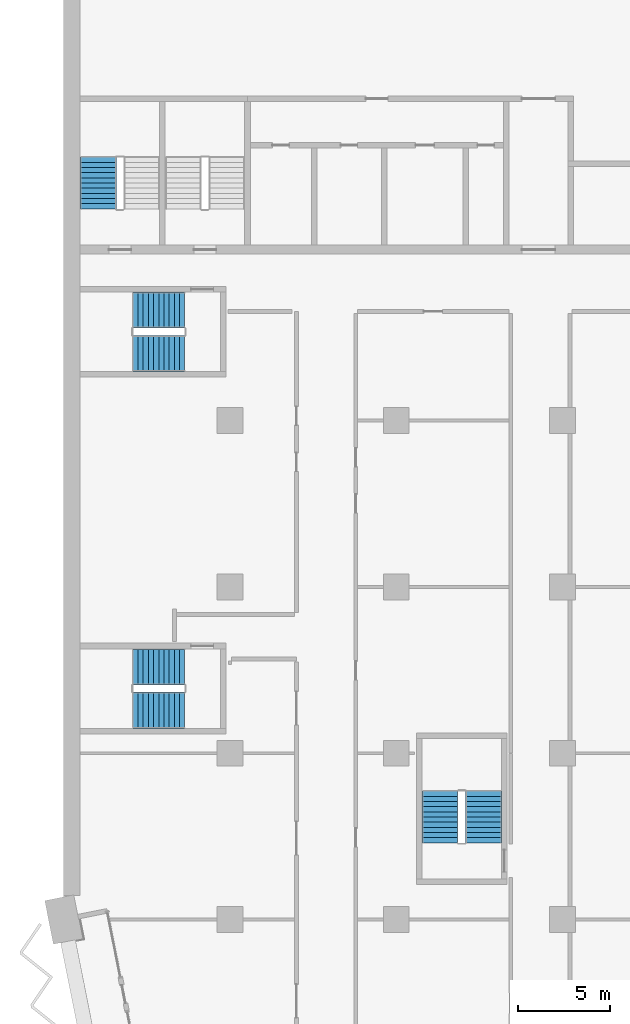
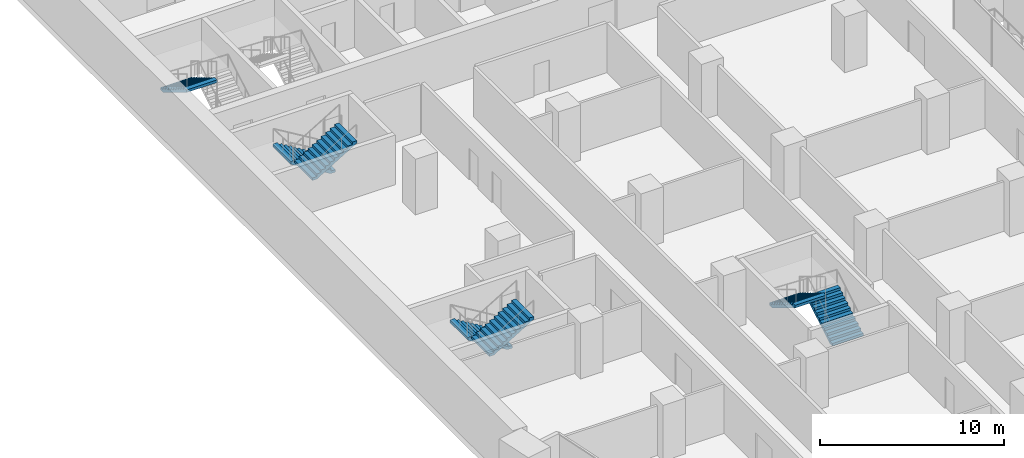
# One storey, part 19 of 28: 7 stair flights, 4 elements without a shape of their own.
"""IFC4 building model written with IfcOpenShell, lengths in metres."""

import ifcopenshell
import ifcopenshell.guid

model = None  # the IFC model being written
_history = None  # IfcOwnerHistory: only IFC2X3 demands one
_inside = {}  # id of a spatial element -> (the spatial element, [elements in it])
_under = {}  # id of a project, library or spatial element -> (it, [spatial elements below it])
_declared = {}  # id of a project -> (the project, [libraries it declares])
_typed = {}  # id of a type object -> (the type object, [elements of that type])
_made_of = {}  # id of a material, layer set ... -> (it, [elements and type objects made of it])


def new_model(schema):
    """Start an empty IFC model of exactly this schema.

    Asked for "IFC4X3", IfcOpenShell would pick the latest addendum, in which some entities
    have other attributes; the version numbers below select the first issue.
    IFC2X3 requires an IfcOwnerHistory on every rooted entity: one is made here for all.
    """
    global model, _history
    if schema == "IFC4X3":
        model = ifcopenshell.file(schema_version=(4, 3, 0, 0))
    else:
        model = ifcopenshell.file(schema=schema)
    _inside.clear()
    _under.clear()
    _declared.clear()
    _typed.clear()
    _made_of.clear()
    _history = None
    if model.schema == "IFC2X3":
        org = make("IfcOrganization", Name="unknown")
        user = make(
            "IfcPersonAndOrganization",
            ThePerson=make("IfcPerson", FamilyName="unknown"),
            TheOrganization=org,
        )
        app = make(
            "IfcApplication",
            ApplicationDeveloper=org,
            Version="unknown",
            ApplicationFullName="unknown",
            ApplicationIdentifier="unknown",
        )
        _history = make(
            "IfcOwnerHistory",
            OwningUser=user,
            OwningApplication=app,
            ChangeAction="ADDED",
            CreationDate=0,
        )
    return model


def make(cls, **values):
    """One entity of the class cls with the attributes given. An attribute that is None is left unset."""
    return model.create_entity(
        cls, **{name: value for name, value in values.items() if value is not None}
    )


def rooted(cls, **values):
    """An entity with a GlobalId (a new one), such as an element, a storey or a relation."""
    return make(cls, GlobalId=ifcopenshell.guid.new(), OwnerHistory=_history, **values)


def si_unit(unit_type, name, prefix=None):
    """IfcSIUnit, for example si_unit("LENGTHUNIT", "METRE", prefix="MILLI")."""
    return make("IfcSIUnit", UnitType=unit_type, Prefix=prefix, Name=name)


def assignment(units):
    """IfcUnitAssignment: the units of a project."""
    return None if units is None else make("IfcUnitAssignment", Units=units)


def point(xyz):
    """IfcCartesianPoint."""
    return None if xyz is None else make("IfcCartesianPoint", Coordinates=xyz)


def direction(xyz):
    """IfcDirection."""
    return None if xyz is None else make("IfcDirection", DirectionRatios=xyz)


def frame(location, z_axis=None, x_axis=None):
    """IfcAxis2Placement3D, a coordinate frame: its origin and axes. An axis left out is left unset."""
    return make(
        "IfcAxis2Placement3D",
        Location=point(location),
        Axis=direction(z_axis),
        RefDirection=direction(x_axis),
    )


def origin():
    """The frame at (0, 0, 0) with its axes left unset."""
    return frame((0.0, 0.0, 0.0))


def place(relative_to, where):
    """IfcLocalPlacement: puts the frame where relative to a parent placement (None: the world)."""
    return make(
        "IfcLocalPlacement", PlacementRelTo=relative_to, RelativePlacement=where
    )


def context(
    kind, dimensions, precision=None, world=None, true_north=None, identifier=None
):
    """IfcGeometricRepresentationContext, for example the 3D "Model" context."""
    return make(
        "IfcGeometricRepresentationContext",
        ContextIdentifier=identifier,
        ContextType=kind,
        CoordinateSpaceDimension=dimensions,
        Precision=precision,
        WorldCoordinateSystem=world,
        TrueNorth=true_north,
    )


def subcontext(parent, identifier, kind, view, scale=None):
    """IfcGeometricRepresentationSubContext, for example "Body" below "Model"."""
    return make(
        "IfcGeometricRepresentationSubContext",
        ContextIdentifier=identifier,
        ContextType=kind,
        ParentContext=parent,
        TargetScale=scale,
        TargetView=view,
    )


def project(units=None, contexts=None):
    """IfcProject with its units and contexts."""
    return rooted(
        "IfcProject",
        Name="project",
        RepresentationContexts=contexts,
        UnitsInContext=assignment(units),
    )


def spatial(cls, under=None, at=None, **own):
    """A site, building, storey or space (cls), placed at a placement, below another one or the project."""
    s = rooted(cls, ObjectPlacement=at, **own)
    if under is not None:
        _under.setdefault(under.id(), (under, []))[1].append(s)
    return s


def polyline(points):
    """IfcPolyline through the points."""
    return make("IfcPolyline", Points=[point(p) for p in points])


def outline(outer, holes=None, kind="AREA"):
    """IfcArbitraryClosedProfileDef: a profile drawn as a closed curve; with holes, ...WithVoids."""
    if holes is None:
        return make("IfcArbitraryClosedProfileDef", ProfileType=kind, OuterCurve=outer)
    return make(
        "IfcArbitraryProfileDefWithVoids",
        ProfileType=kind,
        OuterCurve=outer,
        InnerCurves=holes,
    )


def extrude(swept, where, along, depth):
    """IfcExtrudedAreaSolid: the profile swept, set in the frame where, extruded along a direction by depth."""
    return make(
        "IfcExtrudedAreaSolid",
        SweptArea=swept,
        Position=where,
        ExtrudedDirection=direction(along),
        Depth=depth,
    )


def shape(context_of_items, identifier, shape_type, items):
    """IfcShapeRepresentation: the items that make up one representation, for example the "Body"."""
    return make(
        "IfcShapeRepresentation",
        ContextOfItems=context_of_items,
        RepresentationIdentifier=identifier,
        RepresentationType=shape_type,
        Items=items,
    )


def material(Name=None, Category=None):
    """IfcMaterial."""
    return make("IfcMaterial", Name=Name, Category=Category)


def made_of(thing, what):
    """Note that an element or type object is made of a material, layer set ...; save() writes the relation."""
    if what is not None:
        _made_of.setdefault(what.id(), (what, []))[1].append(thing)
    return thing


def type_object(cls, material=None, **own):
    """A type object (cls), such as IfcWallType, which elements share."""
    return made_of(rooted(cls, **own), material)


def element(
    cls,
    number,
    at=None,
    inside=None,
    cuts=None,
    type_object=None,
    material=None,
    context=None,
    identifier="Body",
    shape_type=None,
    held_by="IfcProductDefinitionShape",
    body=None,
    shapes=None,
    **own,
):
    """One element of the class cls, such as IfcWall. Its Tag is "e" and its number.

    at: its placement. inside: the storey or other place that contains it. cuts: it is an
    opening in that element (IfcRelVoidsElement). A single representation is given by context,
    identifier, shape_type and body (its items); several are given by shapes. held_by: the class
    of the entity that holds the representations. save() writes the other relations.
    """
    e = rooted(cls, Tag="e%d" % number, ObjectPlacement=at, **own)
    if body is not None:
        shapes = [shape(context, identifier, shape_type, body)]
    if shapes is not None:
        e.Representation = make(held_by, Representations=shapes)
    if inside is not None:
        _inside.setdefault(inside.id(), (inside, []))[1].append(e)
    if cuts is not None:
        rooted(
            "IfcRelVoidsElement", RelatingBuildingElement=cuts, RelatedOpeningElement=e
        )
    if type_object is not None:
        _typed.setdefault(type_object.id(), (type_object, []))[1].append(e)
    return made_of(e, material)


def aggregate(whole, parts):
    """IfcRelAggregates: a whole, such as a stair, and the parts it consists of."""
    return rooted("IfcRelAggregates", RelatingObject=whole, RelatedObjects=parts)


def save(model, path):
    """Write the relations noted so far, then the file.

    IfcRelAggregates (storeys below a building ...), IfcRelContainedInSpatialStructure (elements
    in a storey), IfcRelDefinesByType, IfcRelAssociatesMaterial and IfcRelDeclares: one each for
    every whole, place, type object, material and project.
    """
    for whole, parts in _under.values():
        aggregate(whole, parts)
    for where, things in _inside.values():
        rooted(
            "IfcRelContainedInSpatialStructure",
            RelatedElements=things,
            RelatingStructure=where,
        )
    for kind, things in _typed.values():
        rooted("IfcRelDefinesByType", RelatedObjects=things, RelatingType=kind)
    for what, things in _made_of.values():
        rooted("IfcRelAssociatesMaterial", RelatedObjects=things, RelatingMaterial=what)
    for by, libraries in _declared.values():
        rooted("IfcRelDeclares", RelatingContext=by, RelatedDefinitions=libraries)
    model.write(path)


model = new_model("IFC4")

# Units and contexts
model_context = context("Model", 3, precision=1e-05, world=origin(), true_north=direction((0.0, 1.0)))
body_context = subcontext(model_context, "Body", "Model", "MODEL_VIEW")
ifc_project = project(units=[si_unit("LENGTHUNIT", "METRE"), si_unit("AREAUNIT", "SQUARE_METRE"), si_unit("VOLUMEUNIT", "CUBIC_METRE"), si_unit("PLANEANGLEUNIT", "RADIAN"), si_unit("MASSUNIT", "GRAM", prefix="KILO")], contexts=[model_context])

# Site, building, storey
site_placement = place(None, origin())
site = spatial("IfcSite", under=ifc_project, at=site_placement, CompositionType="ELEMENT")
building_placement = place(site_placement, origin())
building = spatial("IfcBuilding", under=site, at=building_placement, Name="Hunhe Ridgeline Campus", CompositionType="ELEMENT")
storey_placement = place(building_placement, frame((0.0, 0.0, 72.800048828125)))
storey = spatial("IfcBuildingStorey", under=building, at=storey_placement, Name="L17", CompositionType="ELEMENT", Elevation=72.800048828125)

# Stair, stair flight
ifc_material = material(Name="Concrete C40", Category="concrete")
stair_type = type_object("IfcStairType", Name="Reinforced concrete dog-leg stair 1950 Concrete C40", PredefinedType="HALF_TURN_STAIR", material=ifc_material)
stair_1_placement = place(storey_placement, origin())
stair_1 = element("IfcStair", 1, at=stair_1_placement, inside=storey, type_object=stair_type, Name="L17 S3", PredefinedType="HALF_TURN_STAIR")
stair_flight_type = type_object("IfcStairFlightType", Name="Reinforced concrete stair flight 1950 Concrete C40", PredefinedType="STRAIGHT", material=ifc_material)
stair_flight_1_placement = place(storey_placement, frame((1.875, 68.25, 1.849853515625), z_axis=(0.0, 0.0, 1.0), x_axis=(0.0, -1.0, 0.0)))
stair_flight_1 = element("IfcStairFlight", 2, at=stair_flight_1_placement, type_object=stair_flight_type, Name="ST3 flight 2", NumberOfRisers=11, NumberOfTreads=10, PredefinedType="STRAIGHT", RiserHeight=0.168181818, TreadLength=0.28, context=body_context, shape_type="SweptSolid", body=[
    extrude(outline(polyline([(0.0, 0.0), (0.0, 0.168212890625), (0.280029296875, 0.168212890625), (0.280029296875, 0.33642578125), (0.56005859375, 0.33642578125), (0.56005859375, 0.504638671875), (0.840087890625, 0.504638671875), (0.840087890625, 0.672607421875), (1.1201171875, 0.672607421875), (1.1201171875, 0.8408203125), (1.39990234375, 0.8408203125), (1.39990234375, 1.009033203125), (1.679931640625, 1.009033203125), (1.679931640625, 1.17724609375), (1.9599609375, 1.17724609375), (1.9599609375, 1.345458984375), (2.239990234375, 1.345458984375), (2.239990234375, 1.513671875), (2.52001953125, 1.513671875), (2.52001953125, 1.681884765625), (2.800048828125, 1.681884765625), (2.800048828125, 1.85009765625), (2.800048828125, 1.5068359375), (0.291015625, 0.0), (0.0, 0.0)])), frame((0.0, 0.97509765625, 0.0), z_axis=(0.0, -1.0, 0.0), x_axis=(1.0, 0.0, 0.0)), (0.0, 0.0, 1.0), 1.949951171875),
    extrude(outline(polyline([(0.030029296875, 0.030029296875), (0.030029296875, 0.13818359375), (0.31005859375, 0.13818359375), (0.31005859375, 0.306396484375), (0.590087890625, 0.306396484375), (0.590087890625, 0.474609375), (0.8701171875, 0.474609375), (0.8701171875, 0.642578125), (1.14990234375, 0.642578125), (1.14990234375, 0.810791015625), (1.429931640625, 0.810791015625), (1.429931640625, 0.97900390625), (1.7099609375, 0.97900390625), (1.7099609375, 1.147216796875), (1.989990234375, 1.147216796875), (1.989990234375, 1.3154296875), (2.27001953125, 1.3154296875), (2.27001953125, 1.483642578125), (2.550048828125, 1.483642578125), (2.550048828125, 1.65185546875), (2.77001953125, 1.65185546875), (2.77001953125, 1.52392578125), (0.28271484375, 0.030029296875), (0.030029296875, 0.030029296875)])), frame((0.0, -0.070068359375, 0.0), z_axis=(0.0, -1.0, 0.0), x_axis=(1.0, 0.0, 0.0)), (0.0, 0.0, 1.0), 0.019775390625),
    extrude(outline(polyline([(0.030029296875, 0.030029296875), (0.030029296875, 0.13818359375), (0.31005859375, 0.13818359375), (0.31005859375, 0.306396484375), (0.590087890625, 0.306396484375), (0.590087890625, 0.474609375), (0.8701171875, 0.474609375), (0.8701171875, 0.642578125), (1.14990234375, 0.642578125), (1.14990234375, 0.810791015625), (1.429931640625, 0.810791015625), (1.429931640625, 0.97900390625), (1.7099609375, 0.97900390625), (1.7099609375, 1.147216796875), (1.989990234375, 1.147216796875), (1.989990234375, 1.3154296875), (2.27001953125, 1.3154296875), (2.27001953125, 1.483642578125), (2.550048828125, 1.483642578125), (2.550048828125, 1.65185546875), (2.77001953125, 1.65185546875), (2.77001953125, 1.52392578125), (0.28271484375, 0.030029296875), (0.030029296875, 0.030029296875)])), frame((0.0, 0.010009765625, 0.0), z_axis=(0.0, -1.0, 0.0), x_axis=(1.0, 0.0, 0.0)), (0.0, 0.0, 1.0), 0.019775390625),
    extrude(outline(polyline([(0.030029296875, 0.030029296875), (0.030029296875, 0.13818359375), (0.31005859375, 0.13818359375), (0.31005859375, 0.306396484375), (0.590087890625, 0.306396484375), (0.590087890625, 0.474609375), (0.8701171875, 0.474609375), (0.8701171875, 0.642578125), (1.14990234375, 0.642578125), (1.14990234375, 0.810791015625), (1.429931640625, 0.810791015625), (1.429931640625, 0.97900390625), (1.7099609375, 0.97900390625), (1.7099609375, 1.147216796875), (1.989990234375, 1.147216796875), (1.989990234375, 1.3154296875), (2.27001953125, 1.3154296875), (2.27001953125, 1.483642578125), (2.550048828125, 1.483642578125), (2.550048828125, 1.65185546875), (2.77001953125, 1.65185546875), (2.77001953125, 1.52392578125), (0.28271484375, 0.030029296875), (0.030029296875, 0.030029296875)])), frame((0.0, 0.090087890625, 0.0), z_axis=(0.0, -1.0, 0.0), x_axis=(1.0, 0.0, 0.0)), (0.0, 0.0, 1.0), 0.019775390625),
])
aggregate(stair_1, [stair_flight_1])

# Stair, stair flights
stair_2_placement = place(storey_placement, origin())
stair_2 = element("IfcStair", 3, at=stair_2_placement, inside=storey, type_object=stair_type, Name="L17 W3", PredefinedType="HALF_TURN_STAIR")
stair_flight_2_placement = place(storey_placement, frame((22.72509765625, 31.14990234375, 0.0), z_axis=(0.0, 0.0, 1.0), x_axis=(0.0, 1.0, 0.0)))
stair_flight_2 = element("IfcStairFlight", 4, at=stair_flight_2_placement, type_object=stair_flight_type, Name="ST9 flight 1", NumberOfRisers=11, NumberOfTreads=10, PredefinedType="STRAIGHT", RiserHeight=0.168181818, TreadLength=0.28, context=body_context, shape_type="SweptSolid", body=[
    extrude(outline(polyline([(0.0, 0.0), (0.0, 0.168212890625), (0.280029296875, 0.168212890625), (0.280029296875, 0.33642578125), (0.56005859375, 0.33642578125), (0.56005859375, 0.504638671875), (0.840087890625, 0.504638671875), (0.840087890625, 0.672607421875), (1.1201171875, 0.672607421875), (1.1201171875, 0.8408203125), (1.39990234375, 0.8408203125), (1.39990234375, 1.009033203125), (1.679931640625, 1.009033203125), (1.679931640625, 1.17724609375), (1.9599609375, 1.17724609375), (1.9599609375, 1.345458984375), (2.239990234375, 1.345458984375), (2.239990234375, 1.513671875), (2.52001953125, 1.513671875), (2.52001953125, 1.681884765625), (2.800048828125, 1.681884765625), (2.800048828125, 1.85009765625), (2.800048828125, 1.5068359375), (0.291015625, 0.0), (0.0, 0.0)])), frame((0.0, 0.97509765625, 0.0), z_axis=(0.0, -1.0, 0.0), x_axis=(1.0, 0.0, 0.0)), (0.0, 0.0, 1.0), 1.949951171875),
    extrude(outline(polyline([(0.030029296875, 0.030029296875), (0.030029296875, 0.13818359375), (0.31005859375, 0.13818359375), (0.31005859375, 0.306396484375), (0.590087890625, 0.306396484375), (0.590087890625, 0.474609375), (0.8701171875, 0.474609375), (0.8701171875, 0.642578125), (1.14990234375, 0.642578125), (1.14990234375, 0.810791015625), (1.429931640625, 0.810791015625), (1.429931640625, 0.97900390625), (1.7099609375, 0.97900390625), (1.7099609375, 1.147216796875), (1.989990234375, 1.147216796875), (1.989990234375, 1.3154296875), (2.27001953125, 1.3154296875), (2.27001953125, 1.483642578125), (2.550048828125, 1.483642578125), (2.550048828125, 1.65185546875), (2.77001953125, 1.65185546875), (2.77001953125, 1.52392578125), (0.28271484375, 0.030029296875), (0.030029296875, 0.030029296875)])), frame((0.0, -0.070068359375, 0.0), z_axis=(0.0, -1.0, 0.0), x_axis=(1.0, 0.0, 0.0)), (0.0, 0.0, 1.0), 0.019775390625),
    extrude(outline(polyline([(0.030029296875, 0.030029296875), (0.030029296875, 0.13818359375), (0.31005859375, 0.13818359375), (0.31005859375, 0.306396484375), (0.590087890625, 0.306396484375), (0.590087890625, 0.474609375), (0.8701171875, 0.474609375), (0.8701171875, 0.642578125), (1.14990234375, 0.642578125), (1.14990234375, 0.810791015625), (1.429931640625, 0.810791015625), (1.429931640625, 0.97900390625), (1.7099609375, 0.97900390625), (1.7099609375, 1.147216796875), (1.989990234375, 1.147216796875), (1.989990234375, 1.3154296875), (2.27001953125, 1.3154296875), (2.27001953125, 1.483642578125), (2.550048828125, 1.483642578125), (2.550048828125, 1.65185546875), (2.77001953125, 1.65185546875), (2.77001953125, 1.52392578125), (0.28271484375, 0.030029296875), (0.030029296875, 0.030029296875)])), frame((0.0, 0.010009765625, 0.0), z_axis=(0.0, -1.0, 0.0), x_axis=(1.0, 0.0, 0.0)), (0.0, 0.0, 1.0), 0.019775390625),
    extrude(outline(polyline([(0.030029296875, 0.030029296875), (0.030029296875, 0.13818359375), (0.31005859375, 0.13818359375), (0.31005859375, 0.306396484375), (0.590087890625, 0.306396484375), (0.590087890625, 0.474609375), (0.8701171875, 0.474609375), (0.8701171875, 0.642578125), (1.14990234375, 0.642578125), (1.14990234375, 0.810791015625), (1.429931640625, 0.810791015625), (1.429931640625, 0.97900390625), (1.7099609375, 0.97900390625), (1.7099609375, 1.147216796875), (1.989990234375, 1.147216796875), (1.989990234375, 1.3154296875), (2.27001953125, 1.3154296875), (2.27001953125, 1.483642578125), (2.550048828125, 1.483642578125), (2.550048828125, 1.65185546875), (2.77001953125, 1.65185546875), (2.77001953125, 1.52392578125), (0.28271484375, 0.030029296875), (0.030029296875, 0.030029296875)])), frame((0.0, 0.090087890625, 0.0), z_axis=(0.0, -1.0, 0.0), x_axis=(1.0, 0.0, 0.0)), (0.0, 0.0, 1.0), 0.019775390625),
])
stair_flight_3_placement = place(storey_placement, frame((20.375, 33.949951171875, 1.849853515625), z_axis=(0.0, 0.0, 1.0), x_axis=(0.0, -1.0, 0.0)))
stair_flight_3 = element("IfcStairFlight", 5, at=stair_flight_3_placement, type_object=stair_flight_type, Name="ST9 flight 2", NumberOfRisers=11, NumberOfTreads=10, PredefinedType="STRAIGHT", RiserHeight=0.168181818, TreadLength=0.28, context=body_context, shape_type="SweptSolid", body=[
    extrude(outline(polyline([(0.0, 0.0), (0.0, 0.168212890625), (0.280029296875, 0.168212890625), (0.280029296875, 0.33642578125), (0.56005859375, 0.33642578125), (0.56005859375, 0.504638671875), (0.840087890625, 0.504638671875), (0.840087890625, 0.672607421875), (1.1201171875, 0.672607421875), (1.1201171875, 0.8408203125), (1.39990234375, 0.8408203125), (1.39990234375, 1.009033203125), (1.679931640625, 1.009033203125), (1.679931640625, 1.17724609375), (1.9599609375, 1.17724609375), (1.9599609375, 1.345458984375), (2.239990234375, 1.345458984375), (2.239990234375, 1.513671875), (2.52001953125, 1.513671875), (2.52001953125, 1.681884765625), (2.800048828125, 1.681884765625), (2.800048828125, 1.85009765625), (2.800048828125, 1.5068359375), (0.291015625, 0.0), (0.0, 0.0)])), frame((0.0, 0.97509765625, 0.0), z_axis=(0.0, -1.0, 0.0), x_axis=(1.0, 0.0, 0.0)), (0.0, 0.0, 1.0), 1.949951171875),
    extrude(outline(polyline([(0.030029296875, 0.030029296875), (0.030029296875, 0.13818359375), (0.31005859375, 0.13818359375), (0.31005859375, 0.306396484375), (0.590087890625, 0.306396484375), (0.590087890625, 0.474609375), (0.8701171875, 0.474609375), (0.8701171875, 0.642578125), (1.14990234375, 0.642578125), (1.14990234375, 0.810791015625), (1.429931640625, 0.810791015625), (1.429931640625, 0.97900390625), (1.7099609375, 0.97900390625), (1.7099609375, 1.147216796875), (1.989990234375, 1.147216796875), (1.989990234375, 1.3154296875), (2.27001953125, 1.3154296875), (2.27001953125, 1.483642578125), (2.550048828125, 1.483642578125), (2.550048828125, 1.65185546875), (2.77001953125, 1.65185546875), (2.77001953125, 1.52392578125), (0.28271484375, 0.030029296875), (0.030029296875, 0.030029296875)])), frame((0.0, -0.070068359375, 0.0), z_axis=(0.0, -1.0, 0.0), x_axis=(1.0, 0.0, 0.0)), (0.0, 0.0, 1.0), 0.019775390625),
    extrude(outline(polyline([(0.030029296875, 0.030029296875), (0.030029296875, 0.13818359375), (0.31005859375, 0.13818359375), (0.31005859375, 0.306396484375), (0.590087890625, 0.306396484375), (0.590087890625, 0.474609375), (0.8701171875, 0.474609375), (0.8701171875, 0.642578125), (1.14990234375, 0.642578125), (1.14990234375, 0.810791015625), (1.429931640625, 0.810791015625), (1.429931640625, 0.97900390625), (1.7099609375, 0.97900390625), (1.7099609375, 1.147216796875), (1.989990234375, 1.147216796875), (1.989990234375, 1.3154296875), (2.27001953125, 1.3154296875), (2.27001953125, 1.483642578125), (2.550048828125, 1.483642578125), (2.550048828125, 1.65185546875), (2.77001953125, 1.65185546875), (2.77001953125, 1.52392578125), (0.28271484375, 0.030029296875), (0.030029296875, 0.030029296875)])), frame((0.0, 0.010009765625, 0.0), z_axis=(0.0, -1.0, 0.0), x_axis=(1.0, 0.0, 0.0)), (0.0, 0.0, 1.0), 0.019775390625),
    extrude(outline(polyline([(0.030029296875, 0.030029296875), (0.030029296875, 0.13818359375), (0.31005859375, 0.13818359375), (0.31005859375, 0.306396484375), (0.590087890625, 0.306396484375), (0.590087890625, 0.474609375), (0.8701171875, 0.474609375), (0.8701171875, 0.642578125), (1.14990234375, 0.642578125), (1.14990234375, 0.810791015625), (1.429931640625, 0.810791015625), (1.429931640625, 0.97900390625), (1.7099609375, 0.97900390625), (1.7099609375, 1.147216796875), (1.989990234375, 1.147216796875), (1.989990234375, 1.3154296875), (2.27001953125, 1.3154296875), (2.27001953125, 1.483642578125), (2.550048828125, 1.483642578125), (2.550048828125, 1.65185546875), (2.77001953125, 1.65185546875), (2.77001953125, 1.52392578125), (0.28271484375, 0.030029296875), (0.030029296875, 0.030029296875)])), frame((0.0, 0.090087890625, 0.0), z_axis=(0.0, -1.0, 0.0), x_axis=(1.0, 0.0, 0.0)), (0.0, 0.0, 1.0), 0.019775390625),
])
aggregate(stair_2, [stair_flight_2, stair_flight_3])

stair_3_placement = place(storey_placement, origin())
stair_3 = element("IfcStair", 6, at=stair_3_placement, inside=storey, type_object=stair_type, Name="L17 W1", PredefinedType="HALF_TURN_STAIR")
stair_flight_4_placement = place(storey_placement, frame((6.550048828125, 40.675048828125, 0.0), z_axis=(0.0, 0.0, 1.0), x_axis=(-1.0, 0.0, 0.0)))
stair_flight_4 = element("IfcStairFlight", 7, at=stair_flight_4_placement, type_object=stair_flight_type, Name="ST11 flight 1", NumberOfRisers=11, NumberOfTreads=10, PredefinedType="STRAIGHT", RiserHeight=0.168181818, TreadLength=0.28, context=body_context, shape_type="SweptSolid", body=[
    extrude(outline(polyline([(0.0, 0.0), (0.0, 0.168212890625), (0.280029296875, 0.168212890625), (0.280029296875, 0.33642578125), (0.56005859375, 0.33642578125), (0.56005859375, 0.504638671875), (0.840087890625, 0.504638671875), (0.840087890625, 0.672607421875), (1.1201171875, 0.672607421875), (1.1201171875, 0.8408203125), (1.39990234375, 0.8408203125), (1.39990234375, 1.009033203125), (1.679931640625, 1.009033203125), (1.679931640625, 1.17724609375), (1.9599609375, 1.17724609375), (1.9599609375, 1.345458984375), (2.239990234375, 1.345458984375), (2.239990234375, 1.513671875), (2.52001953125, 1.513671875), (2.52001953125, 1.681884765625), (2.800048828125, 1.681884765625), (2.800048828125, 1.85009765625), (2.800048828125, 1.5068359375), (0.291015625, 0.0), (0.0, 0.0)])), frame((0.0, 0.97509765625, 0.0), z_axis=(0.0, -1.0, 0.0), x_axis=(1.0, 0.0, 0.0)), (0.0, 0.0, 1.0), 1.949951171875),
    extrude(outline(polyline([(0.030029296875, 0.030029296875), (0.030029296875, 0.13818359375), (0.31005859375, 0.13818359375), (0.31005859375, 0.306396484375), (0.590087890625, 0.306396484375), (0.590087890625, 0.474609375), (0.8701171875, 0.474609375), (0.8701171875, 0.642578125), (1.14990234375, 0.642578125), (1.14990234375, 0.810791015625), (1.429931640625, 0.810791015625), (1.429931640625, 0.97900390625), (1.7099609375, 0.97900390625), (1.7099609375, 1.147216796875), (1.989990234375, 1.147216796875), (1.989990234375, 1.3154296875), (2.27001953125, 1.3154296875), (2.27001953125, 1.483642578125), (2.550048828125, 1.483642578125), (2.550048828125, 1.65185546875), (2.77001953125, 1.65185546875), (2.77001953125, 1.52392578125), (0.28271484375, 0.030029296875), (0.030029296875, 0.030029296875)])), frame((0.0, -0.070068359375, 0.0), z_axis=(0.0, -1.0, 0.0), x_axis=(1.0, 0.0, 0.0)), (0.0, 0.0, 1.0), 0.019775390625),
    extrude(outline(polyline([(0.030029296875, 0.030029296875), (0.030029296875, 0.13818359375), (0.31005859375, 0.13818359375), (0.31005859375, 0.306396484375), (0.590087890625, 0.306396484375), (0.590087890625, 0.474609375), (0.8701171875, 0.474609375), (0.8701171875, 0.642578125), (1.14990234375, 0.642578125), (1.14990234375, 0.810791015625), (1.429931640625, 0.810791015625), (1.429931640625, 0.97900390625), (1.7099609375, 0.97900390625), (1.7099609375, 1.147216796875), (1.989990234375, 1.147216796875), (1.989990234375, 1.3154296875), (2.27001953125, 1.3154296875), (2.27001953125, 1.483642578125), (2.550048828125, 1.483642578125), (2.550048828125, 1.65185546875), (2.77001953125, 1.65185546875), (2.77001953125, 1.52392578125), (0.28271484375, 0.030029296875), (0.030029296875, 0.030029296875)])), frame((0.0, 0.010009765625, 0.0), z_axis=(0.0, -1.0, 0.0), x_axis=(1.0, 0.0, 0.0)), (0.0, 0.0, 1.0), 0.019775390625),
    extrude(outline(polyline([(0.030029296875, 0.030029296875), (0.030029296875, 0.13818359375), (0.31005859375, 0.13818359375), (0.31005859375, 0.306396484375), (0.590087890625, 0.306396484375), (0.590087890625, 0.474609375), (0.8701171875, 0.474609375), (0.8701171875, 0.642578125), (1.14990234375, 0.642578125), (1.14990234375, 0.810791015625), (1.429931640625, 0.810791015625), (1.429931640625, 0.97900390625), (1.7099609375, 0.97900390625), (1.7099609375, 1.147216796875), (1.989990234375, 1.147216796875), (1.989990234375, 1.3154296875), (2.27001953125, 1.3154296875), (2.27001953125, 1.483642578125), (2.550048828125, 1.483642578125), (2.550048828125, 1.65185546875), (2.77001953125, 1.65185546875), (2.77001953125, 1.52392578125), (0.28271484375, 0.030029296875), (0.030029296875, 0.030029296875)])), frame((0.0, 0.090087890625, 0.0), z_axis=(0.0, -1.0, 0.0), x_axis=(1.0, 0.0, 0.0)), (0.0, 0.0, 1.0), 0.019775390625),
])
stair_flight_5_placement = place(storey_placement, frame((3.75, 38.324951171875, 1.849853515625), z_axis=(0.0, 0.0, 1.0), x_axis=(1.0, 0.0, 0.0)))
stair_flight_5 = element("IfcStairFlight", 8, at=stair_flight_5_placement, type_object=stair_flight_type, Name="ST11 flight 2", NumberOfRisers=11, NumberOfTreads=10, PredefinedType="STRAIGHT", RiserHeight=0.168181818, TreadLength=0.28, context=body_context, shape_type="SweptSolid", body=[
    extrude(outline(polyline([(0.0, 0.0), (0.0, 0.168212890625), (0.280029296875, 0.168212890625), (0.280029296875, 0.33642578125), (0.56005859375, 0.33642578125), (0.56005859375, 0.504638671875), (0.840087890625, 0.504638671875), (0.840087890625, 0.672607421875), (1.1201171875, 0.672607421875), (1.1201171875, 0.8408203125), (1.39990234375, 0.8408203125), (1.39990234375, 1.009033203125), (1.679931640625, 1.009033203125), (1.679931640625, 1.17724609375), (1.9599609375, 1.17724609375), (1.9599609375, 1.345458984375), (2.239990234375, 1.345458984375), (2.239990234375, 1.513671875), (2.52001953125, 1.513671875), (2.52001953125, 1.681884765625), (2.800048828125, 1.681884765625), (2.800048828125, 1.85009765625), (2.800048828125, 1.5068359375), (0.291015625, 0.0), (0.0, 0.0)])), frame((0.0, 0.97509765625, 0.0), z_axis=(0.0, -1.0, 0.0), x_axis=(1.0, 0.0, 0.0)), (0.0, 0.0, 1.0), 1.949951171875),
    extrude(outline(polyline([(0.030029296875, 0.030029296875), (0.030029296875, 0.13818359375), (0.31005859375, 0.13818359375), (0.31005859375, 0.306396484375), (0.590087890625, 0.306396484375), (0.590087890625, 0.474609375), (0.8701171875, 0.474609375), (0.8701171875, 0.642578125), (1.14990234375, 0.642578125), (1.14990234375, 0.810791015625), (1.429931640625, 0.810791015625), (1.429931640625, 0.97900390625), (1.7099609375, 0.97900390625), (1.7099609375, 1.147216796875), (1.989990234375, 1.147216796875), (1.989990234375, 1.3154296875), (2.27001953125, 1.3154296875), (2.27001953125, 1.483642578125), (2.550048828125, 1.483642578125), (2.550048828125, 1.65185546875), (2.77001953125, 1.65185546875), (2.77001953125, 1.52392578125), (0.28271484375, 0.030029296875), (0.030029296875, 0.030029296875)])), frame((0.0, -0.070068359375, 0.0), z_axis=(0.0, -1.0, 0.0), x_axis=(1.0, 0.0, 0.0)), (0.0, 0.0, 1.0), 0.019775390625),
    extrude(outline(polyline([(0.030029296875, 0.030029296875), (0.030029296875, 0.13818359375), (0.31005859375, 0.13818359375), (0.31005859375, 0.306396484375), (0.590087890625, 0.306396484375), (0.590087890625, 0.474609375), (0.8701171875, 0.474609375), (0.8701171875, 0.642578125), (1.14990234375, 0.642578125), (1.14990234375, 0.810791015625), (1.429931640625, 0.810791015625), (1.429931640625, 0.97900390625), (1.7099609375, 0.97900390625), (1.7099609375, 1.147216796875), (1.989990234375, 1.147216796875), (1.989990234375, 1.3154296875), (2.27001953125, 1.3154296875), (2.27001953125, 1.483642578125), (2.550048828125, 1.483642578125), (2.550048828125, 1.65185546875), (2.77001953125, 1.65185546875), (2.77001953125, 1.52392578125), (0.28271484375, 0.030029296875), (0.030029296875, 0.030029296875)])), frame((0.0, 0.010009765625, 0.0), z_axis=(0.0, -1.0, 0.0), x_axis=(1.0, 0.0, 0.0)), (0.0, 0.0, 1.0), 0.019775390625),
    extrude(outline(polyline([(0.030029296875, 0.030029296875), (0.030029296875, 0.13818359375), (0.31005859375, 0.13818359375), (0.31005859375, 0.306396484375), (0.590087890625, 0.306396484375), (0.590087890625, 0.474609375), (0.8701171875, 0.474609375), (0.8701171875, 0.642578125), (1.14990234375, 0.642578125), (1.14990234375, 0.810791015625), (1.429931640625, 0.810791015625), (1.429931640625, 0.97900390625), (1.7099609375, 0.97900390625), (1.7099609375, 1.147216796875), (1.989990234375, 1.147216796875), (1.989990234375, 1.3154296875), (2.27001953125, 1.3154296875), (2.27001953125, 1.483642578125), (2.550048828125, 1.483642578125), (2.550048828125, 1.65185546875), (2.77001953125, 1.65185546875), (2.77001953125, 1.52392578125), (0.28271484375, 0.030029296875), (0.030029296875, 0.030029296875)])), frame((0.0, 0.090087890625, 0.0), z_axis=(0.0, -1.0, 0.0), x_axis=(1.0, 0.0, 0.0)), (0.0, 0.0, 1.0), 0.019775390625),
])
aggregate(stair_3, [stair_flight_4, stair_flight_5])

stair_4_placement = place(storey_placement, origin())
stair_4 = element("IfcStair", 9, at=stair_4_placement, inside=storey, type_object=stair_type, Name="L17 W2", PredefinedType="HALF_TURN_STAIR")
stair_flight_6_placement = place(storey_placement, frame((6.550048828125, 59.97509765625, 0.0), z_axis=(0.0, 0.0, 1.0), x_axis=(-1.0, 0.0, 0.0)))
stair_flight_6 = element("IfcStairFlight", 10, at=stair_flight_6_placement, type_object=stair_flight_type, Name="ST12 flight 1", NumberOfRisers=11, NumberOfTreads=10, PredefinedType="STRAIGHT", RiserHeight=0.168181818, TreadLength=0.28, context=body_context, shape_type="SweptSolid", body=[
    extrude(outline(polyline([(0.0, 0.0), (0.0, 0.168212890625), (0.280029296875, 0.168212890625), (0.280029296875, 0.33642578125), (0.56005859375, 0.33642578125), (0.56005859375, 0.504638671875), (0.840087890625, 0.504638671875), (0.840087890625, 0.672607421875), (1.1201171875, 0.672607421875), (1.1201171875, 0.8408203125), (1.39990234375, 0.8408203125), (1.39990234375, 1.009033203125), (1.679931640625, 1.009033203125), (1.679931640625, 1.17724609375), (1.9599609375, 1.17724609375), (1.9599609375, 1.345458984375), (2.239990234375, 1.345458984375), (2.239990234375, 1.513671875), (2.52001953125, 1.513671875), (2.52001953125, 1.681884765625), (2.800048828125, 1.681884765625), (2.800048828125, 1.85009765625), (2.800048828125, 1.5068359375), (0.291015625, 0.0), (0.0, 0.0)])), frame((0.0, 0.97509765625, 0.0), z_axis=(0.0, -1.0, 0.0), x_axis=(1.0, 0.0, 0.0)), (0.0, 0.0, 1.0), 1.949951171875),
    extrude(outline(polyline([(0.030029296875, 0.030029296875), (0.030029296875, 0.13818359375), (0.31005859375, 0.13818359375), (0.31005859375, 0.306396484375), (0.590087890625, 0.306396484375), (0.590087890625, 0.474609375), (0.8701171875, 0.474609375), (0.8701171875, 0.642578125), (1.14990234375, 0.642578125), (1.14990234375, 0.810791015625), (1.429931640625, 0.810791015625), (1.429931640625, 0.97900390625), (1.7099609375, 0.97900390625), (1.7099609375, 1.147216796875), (1.989990234375, 1.147216796875), (1.989990234375, 1.3154296875), (2.27001953125, 1.3154296875), (2.27001953125, 1.483642578125), (2.550048828125, 1.483642578125), (2.550048828125, 1.65185546875), (2.77001953125, 1.65185546875), (2.77001953125, 1.52392578125), (0.28271484375, 0.030029296875), (0.030029296875, 0.030029296875)])), frame((0.0, -0.070068359375, 0.0), z_axis=(0.0, -1.0, 0.0), x_axis=(1.0, 0.0, 0.0)), (0.0, 0.0, 1.0), 0.019775390625),
    extrude(outline(polyline([(0.030029296875, 0.030029296875), (0.030029296875, 0.13818359375), (0.31005859375, 0.13818359375), (0.31005859375, 0.306396484375), (0.590087890625, 0.306396484375), (0.590087890625, 0.474609375), (0.8701171875, 0.474609375), (0.8701171875, 0.642578125), (1.14990234375, 0.642578125), (1.14990234375, 0.810791015625), (1.429931640625, 0.810791015625), (1.429931640625, 0.97900390625), (1.7099609375, 0.97900390625), (1.7099609375, 1.147216796875), (1.989990234375, 1.147216796875), (1.989990234375, 1.3154296875), (2.27001953125, 1.3154296875), (2.27001953125, 1.483642578125), (2.550048828125, 1.483642578125), (2.550048828125, 1.65185546875), (2.77001953125, 1.65185546875), (2.77001953125, 1.52392578125), (0.28271484375, 0.030029296875), (0.030029296875, 0.030029296875)])), frame((0.0, 0.010009765625, 0.0), z_axis=(0.0, -1.0, 0.0), x_axis=(1.0, 0.0, 0.0)), (0.0, 0.0, 1.0), 0.019775390625),
    extrude(outline(polyline([(0.030029296875, 0.030029296875), (0.030029296875, 0.13818359375), (0.31005859375, 0.13818359375), (0.31005859375, 0.306396484375), (0.590087890625, 0.306396484375), (0.590087890625, 0.474609375), (0.8701171875, 0.474609375), (0.8701171875, 0.642578125), (1.14990234375, 0.642578125), (1.14990234375, 0.810791015625), (1.429931640625, 0.810791015625), (1.429931640625, 0.97900390625), (1.7099609375, 0.97900390625), (1.7099609375, 1.147216796875), (1.989990234375, 1.147216796875), (1.989990234375, 1.3154296875), (2.27001953125, 1.3154296875), (2.27001953125, 1.483642578125), (2.550048828125, 1.483642578125), (2.550048828125, 1.65185546875), (2.77001953125, 1.65185546875), (2.77001953125, 1.52392578125), (0.28271484375, 0.030029296875), (0.030029296875, 0.030029296875)])), frame((0.0, 0.090087890625, 0.0), z_axis=(0.0, -1.0, 0.0), x_axis=(1.0, 0.0, 0.0)), (0.0, 0.0, 1.0), 0.019775390625),
])
stair_flight_7_placement = place(storey_placement, frame((3.75, 57.625, 1.849853515625), z_axis=(0.0, 0.0, 1.0), x_axis=(1.0, 0.0, 0.0)))
stair_flight_7 = element("IfcStairFlight", 11, at=stair_flight_7_placement, type_object=stair_flight_type, Name="ST12 flight 2", NumberOfRisers=11, NumberOfTreads=10, PredefinedType="STRAIGHT", RiserHeight=0.168181818, TreadLength=0.28, context=body_context, shape_type="SweptSolid", body=[
    extrude(outline(polyline([(0.0, 0.0), (0.0, 0.168212890625), (0.280029296875, 0.168212890625), (0.280029296875, 0.33642578125), (0.56005859375, 0.33642578125), (0.56005859375, 0.504638671875), (0.840087890625, 0.504638671875), (0.840087890625, 0.672607421875), (1.1201171875, 0.672607421875), (1.1201171875, 0.8408203125), (1.39990234375, 0.8408203125), (1.39990234375, 1.009033203125), (1.679931640625, 1.009033203125), (1.679931640625, 1.17724609375), (1.9599609375, 1.17724609375), (1.9599609375, 1.345458984375), (2.239990234375, 1.345458984375), (2.239990234375, 1.513671875), (2.52001953125, 1.513671875), (2.52001953125, 1.681884765625), (2.800048828125, 1.681884765625), (2.800048828125, 1.85009765625), (2.800048828125, 1.5068359375), (0.291015625, 0.0), (0.0, 0.0)])), frame((0.0, 0.97509765625, 0.0), z_axis=(0.0, -1.0, 0.0), x_axis=(1.0, 0.0, 0.0)), (0.0, 0.0, 1.0), 1.949951171875),
    extrude(outline(polyline([(0.030029296875, 0.030029296875), (0.030029296875, 0.13818359375), (0.31005859375, 0.13818359375), (0.31005859375, 0.306396484375), (0.590087890625, 0.306396484375), (0.590087890625, 0.474609375), (0.8701171875, 0.474609375), (0.8701171875, 0.642578125), (1.14990234375, 0.642578125), (1.14990234375, 0.810791015625), (1.429931640625, 0.810791015625), (1.429931640625, 0.97900390625), (1.7099609375, 0.97900390625), (1.7099609375, 1.147216796875), (1.989990234375, 1.147216796875), (1.989990234375, 1.3154296875), (2.27001953125, 1.3154296875), (2.27001953125, 1.483642578125), (2.550048828125, 1.483642578125), (2.550048828125, 1.65185546875), (2.77001953125, 1.65185546875), (2.77001953125, 1.52392578125), (0.28271484375, 0.030029296875), (0.030029296875, 0.030029296875)])), frame((0.0, -0.070068359375, 0.0), z_axis=(0.0, -1.0, 0.0), x_axis=(1.0, 0.0, 0.0)), (0.0, 0.0, 1.0), 0.019775390625),
    extrude(outline(polyline([(0.030029296875, 0.030029296875), (0.030029296875, 0.13818359375), (0.31005859375, 0.13818359375), (0.31005859375, 0.306396484375), (0.590087890625, 0.306396484375), (0.590087890625, 0.474609375), (0.8701171875, 0.474609375), (0.8701171875, 0.642578125), (1.14990234375, 0.642578125), (1.14990234375, 0.810791015625), (1.429931640625, 0.810791015625), (1.429931640625, 0.97900390625), (1.7099609375, 0.97900390625), (1.7099609375, 1.147216796875), (1.989990234375, 1.147216796875), (1.989990234375, 1.3154296875), (2.27001953125, 1.3154296875), (2.27001953125, 1.483642578125), (2.550048828125, 1.483642578125), (2.550048828125, 1.65185546875), (2.77001953125, 1.65185546875), (2.77001953125, 1.52392578125), (0.28271484375, 0.030029296875), (0.030029296875, 0.030029296875)])), frame((0.0, 0.010009765625, 0.0), z_axis=(0.0, -1.0, 0.0), x_axis=(1.0, 0.0, 0.0)), (0.0, 0.0, 1.0), 0.019775390625),
    extrude(outline(polyline([(0.030029296875, 0.030029296875), (0.030029296875, 0.13818359375), (0.31005859375, 0.13818359375), (0.31005859375, 0.306396484375), (0.590087890625, 0.306396484375), (0.590087890625, 0.474609375), (0.8701171875, 0.474609375), (0.8701171875, 0.642578125), (1.14990234375, 0.642578125), (1.14990234375, 0.810791015625), (1.429931640625, 0.810791015625), (1.429931640625, 0.97900390625), (1.7099609375, 0.97900390625), (1.7099609375, 1.147216796875), (1.989990234375, 1.147216796875), (1.989990234375, 1.3154296875), (2.27001953125, 1.3154296875), (2.27001953125, 1.483642578125), (2.550048828125, 1.483642578125), (2.550048828125, 1.65185546875), (2.77001953125, 1.65185546875), (2.77001953125, 1.52392578125), (0.28271484375, 0.030029296875), (0.030029296875, 0.030029296875)])), frame((0.0, 0.090087890625, 0.0), z_axis=(0.0, -1.0, 0.0), x_axis=(1.0, 0.0, 0.0)), (0.0, 0.0, 1.0), 0.019775390625),
])
aggregate(stair_4, [stair_flight_6, stair_flight_7])

save(model, "model.ifc")
